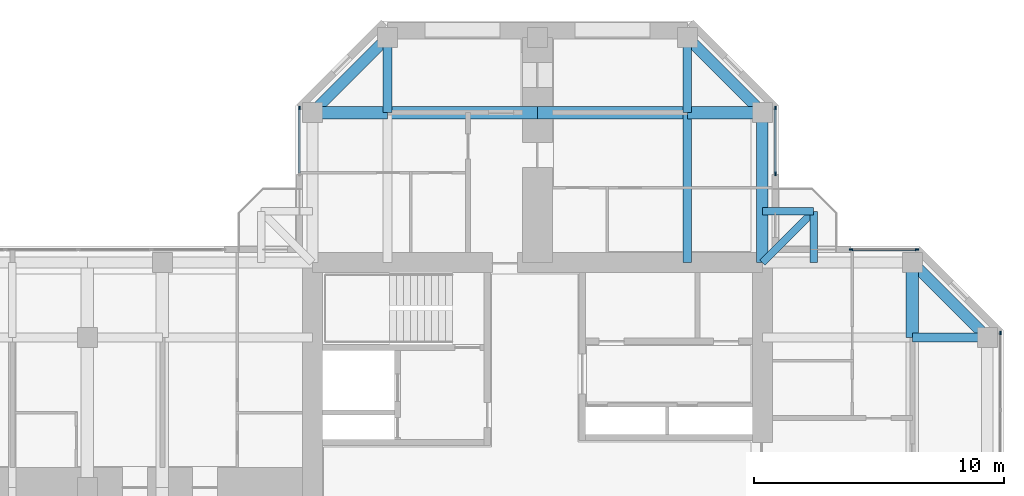
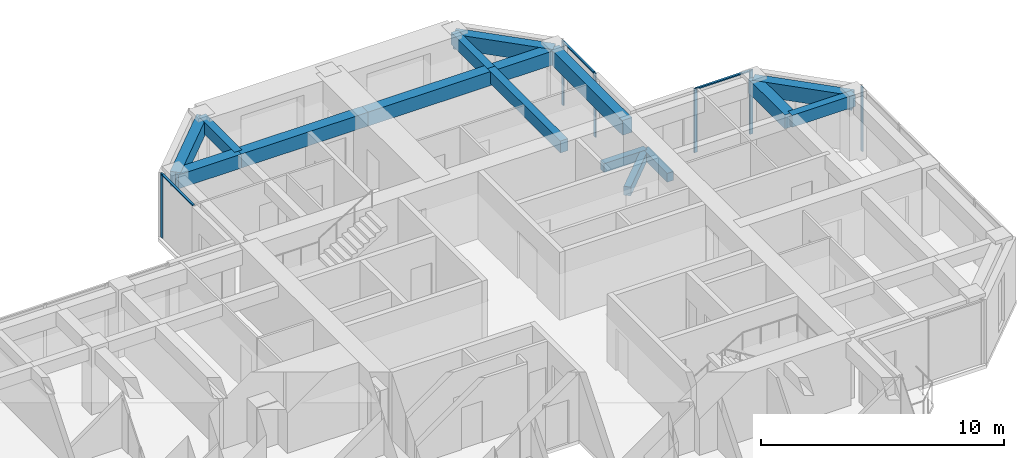
# One storey, part 6 of 13: 16 beams, 9 members, 4 elements without a shape of their own.
"""IFC4 building model written with IfcOpenShell, lengths in metres."""

from ifc_helpers import new_model, si_unit, direction, frame, origin, origin_2d, place, context, subcontext, project, spatial, rectangle, extrude, material, material_profile, profile_set, type_object, element, aggregate, save


model = new_model("IFC4")

# Units and contexts
model_context = context("Model", 3, precision=1e-05, world=origin(), true_north=direction((0.0, 1.0)))
body_context = subcontext(model_context, "Body", "Model", "MODEL_VIEW")
ifc_project = project(units=[si_unit("LENGTHUNIT", "METRE"), si_unit("AREAUNIT", "SQUARE_METRE"), si_unit("VOLUMEUNIT", "CUBIC_METRE"), si_unit("PLANEANGLEUNIT", "RADIAN"), si_unit("MASSUNIT", "GRAM", prefix="KILO")], contexts=[model_context])

# Site, building, storey
site_placement = place(None, origin())
site = spatial("IfcSite", under=ifc_project, at=site_placement, CompositionType="ELEMENT")
building_placement = place(site_placement, origin())
building = spatial("IfcBuilding", under=site, at=building_placement, Name="Torre Cruceta", CompositionType="ELEMENT")
storey_placement = place(building_placement, frame((0.0, 0.0, 239.10009765625)))
storey = spatial("IfcBuildingStorey", under=building, at=storey_placement, Name="L61", CompositionType="ELEMENT", Elevation=239.10009765625)

# Beams
ifc_material_1 = material(Name="Concrete G60 (fck 60 MPa)", Category="concrete")
ifc_material_profile_1 = material_profile(ifc_material_1, rectangle(XDim=0.300048828125, YDim=0.449951171875, at=origin_2d()), Name="RC 300X450")
ifc_profile_set_1 = profile_set([ifc_material_profile_1], Name="Concrete G60 (fck 60 MPa)")
beam_type_1 = type_object("IfcBeamType", Name="BALCONY CANTILEVER BEAM RC 300X450", PredefinedType="BEAM", material=ifc_profile_set_1)
beam_1_placement = place(storey_placement, frame((9.0, 9.0, -0.405029296875), z_axis=(0.707106781187, 0.707106781187, 0.0), x_axis=(-0.707106781187, 0.707106781187, 0.0)))
element("IfcBeam", 1, at=beam_1_placement, inside=storey, type_object=beam_type_1, Name="BB1 balcony beam L61 E", PredefinedType="BEAM", context=body_context, shape_type="SweptSolid", body=[
    extrude(rectangle(XDim=0.300048828125, YDim=0.449951171875, at=origin_2d()), origin(), (0.0, 0.0, 1.0), 2.89990234375),
])
for number, where, z_axis, x_axis, name in (
    (2, (11.050537109375, 9.0, -0.405029296875), (0.0, 1.0, 0.0), (-1.0, 0.0, 0.0), "BB1 balcony edge beam L61 E-X"),
    (3, (9.0, 11.050537109375, -0.405029296875), (1.0, 0.0, 0.0), (0.0, 1.0, 0.0), "BB1 balcony edge beam L61 E-Y"),
):
    element("IfcBeam", number, at=place(storey_placement, frame(where, z_axis=z_axis, x_axis=x_axis)), inside=storey, type_object=beam_type_1, Name=name, PredefinedType="BEAM", context=body_context, shape_type="SweptSolid", body=[
        extrude(rectangle(XDim=0.300048828125, YDim=0.449951171875, at=origin_2d()), origin(), (0.0, 0.0, 1.0), 2.050537109375),
    ])
ifc_material_2 = material(Name="Concrete G60 (fck 60 MPa)", Category="concrete")
ifc_material_profile_2 = material_profile(ifc_material_2, rectangle(XDim=0.35009765625, YDim=0.60009765625, at=origin_2d()), Name="RC 350X600")
ifc_profile_set_2 = profile_set([ifc_material_profile_2], Name="Concrete G60 (fck 60 MPa)")
beam_type_2 = type_object("IfcBeamType", Name="COLUMN LINE BEAM RC 350X600", PredefinedType="BEAM", material=ifc_profile_set_2)
beam_2_placement = place(storey_placement, frame((6.0, 9.0, 2.919921875), z_axis=(0.0, 1.0, 0.0), x_axis=(-1.0, 0.0, 0.0)))
element("IfcBeam", 4, at=beam_2_placement, inside=storey, type_object=beam_type_2, Name="LB9 L61 N col- 1", PredefinedType="BEAM", context=body_context, shape_type="SweptSolid", body=[
    extrude(rectangle(XDim=0.35009765625, YDim=0.60009765625, at=origin_2d()), origin(), (0.0, 0.0, 1.0), 6.0),
])
for number, where, z_axis, x_axis, name in (
    (5, (6.0, 15.0, 2.919921875), (0.0, 1.0, 0.0), (-1.0, 0.0, 0.0), "LB9 L61 N col- 2"),
    (6, (-6.0, 15.0, 2.919921875), (0.0, 1.0, 0.0), (-1.0, 0.0, 0.0), "LB9 L61 N col+ 2"),
    (7, (15.0, 6.0, 2.919921875), (1.0, 0.0, 0.0), (0.0, 1.0, 0.0), "LB9 L61 E col+ 2"),
):
    element("IfcBeam", number, at=place(storey_placement, frame(where, z_axis=z_axis, x_axis=x_axis)), inside=storey, type_object=beam_type_2, Name=name, PredefinedType="BEAM", context=body_context, shape_type="SweptSolid", body=[
        extrude(rectangle(XDim=0.35009765625, YDim=0.60009765625, at=origin_2d()), origin(), (0.0, 0.0, 1.0), 3.0),
    ])
ifc_material_3 = material(Name="Concrete G60 (fck 60 MPa)", Category="concrete")
ifc_material_profile_3 = material_profile(ifc_material_3, rectangle(XDim=0.5, YDim=0.699951171875, at=origin_2d()), Name="RC 500X700")
ifc_profile_set_3 = profile_set([ifc_material_profile_3], Name="Concrete G60 (fck 60 MPa)")
beam_type_3 = type_object("IfcBeamType", Name="CROSS BEAM RC 500X700", PredefinedType="BEAM", material=ifc_profile_set_3)
beam_3_placement = place(storey_placement, frame((9.0, 15.0, 2.869873046875), z_axis=(-1.0, 0.0, 0.0), x_axis=(0.0, -1.0, 0.0)))
element("IfcBeam", 8, at=beam_3_placement, inside=storey, type_object=beam_type_3, Name="GB7 L61 N cross15 1", PredefinedType="BEAM", context=body_context, shape_type="SweptSolid", body=[
    extrude(rectangle(XDim=0.5, YDim=0.699951171875, at=origin_2d()), origin(), (0.0, 0.0, 1.0), 3.0),
])
for number, where, z_axis, x_axis, name in (
    (9, (6.0, 15.0, 2.869873046875), (-1.0, 0.0, 0.0), (0.0, -1.0, 0.0), "GB7 L61 N cross15 2"),
    (10, (0.0, 15.0, 2.869873046875), (-1.0, 0.0, 0.0), (0.0, -1.0, 0.0), "GB7 L61 N cross15 3"),
):
    element("IfcBeam", number, at=place(storey_placement, frame(where, z_axis=z_axis, x_axis=x_axis)), inside=storey, type_object=beam_type_3, Name=name, PredefinedType="BEAM", context=body_context, shape_type="SweptSolid", body=[
        extrude(rectangle(XDim=0.5, YDim=0.699951171875, at=origin_2d()), origin(), (0.0, 0.0, 1.0), 6.0),
    ])
for number, where, z_axis, x_axis, name in (
    (11, (-6.0, 15.0, 2.869873046875), (-1.0, 0.0, 0.0), (0.0, -1.0, 0.0), "GB7 L61 N cross15 4"),
    (12, (15.0, 6.0, 2.869873046875), (0.0, 1.0, 0.0), (-1.0, 0.0, 0.0), "GB7 L61 E cross15 4"),
):
    element("IfcBeam", number, at=place(storey_placement, frame(where, z_axis=z_axis, x_axis=x_axis)), inside=storey, type_object=beam_type_3, Name=name, PredefinedType="BEAM", context=body_context, shape_type="SweptSolid", body=[
        extrude(rectangle(XDim=0.5, YDim=0.699951171875, at=origin_2d()), origin(), (0.0, 0.0, 1.0), 3.0),
    ])

# Curtain wall, member
ifc_material_4 = material(Name="Aluminium unitised curtain wall", Category="aluminium")
curtain_wall_type = type_object("IfcCurtainWallType", Name="CURTAIN WALL CW-D CO-LIVING UPPER", PredefinedType="USERDEFINED", material=ifc_material_4)
curtain_wall_1_placement = place(storey_placement, origin())
curtain_wall_1 = element("IfcCurtainWall", 13, at=curtain_wall_1_placement, inside=storey, type_object=curtain_wall_type, Name="CW-D L61 E tip 02", ObjectType="UNITISED", PredefinedType="USERDEFINED")
ifc_material_5 = material(Name="Aluminium mullion", Category="aluminium")
ifc_material_profile_4 = material_profile(ifc_material_5, rectangle(XDim=0.06005859375, YDim=0.14990234375, at=origin_2d()), Name="AL 60X150")
ifc_profile_set_4 = profile_set([ifc_material_profile_4], Name="Aluminium mullion")
member_type_1 = type_object("IfcMemberType", Name="CW-D MULLION 60X150", PredefinedType="MULLION", material=ifc_profile_set_4)
member_1_placement = place(storey_placement, frame((18.52001953125, 6.185302734375, 0.0), z_axis=(0.0, 0.0, 1.0), x_axis=(-1.0, 0.0, 0.0)))
member_1 = element("IfcMember", 14, at=member_1_placement, type_object=member_type_1, Name="CW-D mullion 5", PredefinedType="MULLION", context=body_context, shape_type="SweptSolid", body=[
    extrude(rectangle(XDim=0.06005859375, YDim=0.14990234375, at=origin_2d()), origin(), (0.0, 0.0, 1.0), 3.219970703125),
])
aggregate(curtain_wall_1, [member_1])

# Curtain wall, members
curtain_wall_2_placement = place(storey_placement, origin())
curtain_wall_2 = element("IfcCurtainWall", 15, at=curtain_wall_2_placement, inside=storey, type_object=curtain_wall_type, Name="CW-D L61 E side 04", ObjectType="UNITISED", PredefinedType="USERDEFINED")
member_2_placement = place(storey_placement, frame((15.185302734375, 9.52001953125, 0.0), z_axis=(0.0, 0.0, 1.0), x_axis=(0.0, -1.0, 0.0)))
member_2 = element("IfcMember", 16, at=member_2_placement, type_object=member_type_1, Name="CW-D mullion 1", PredefinedType="MULLION", context=body_context, shape_type="SweptSolid", body=[
    extrude(rectangle(XDim=0.06005859375, YDim=0.14990234375, at=origin_2d()), origin(), (0.0, 0.0, 1.0), 3.219970703125),
])
member_3_placement = place(storey_placement, frame((12.550048828125, 9.52001953125, 0.0), z_axis=(0.0, 0.0, 1.0), x_axis=(0.0, -1.0, 0.0)))
member_3 = element("IfcMember", 17, at=member_3_placement, type_object=member_type_1, Name="CW-D mullion 2", PredefinedType="MULLION", context=body_context, shape_type="SweptSolid", body=[
    extrude(rectangle(XDim=0.06005859375, YDim=0.14990234375, at=origin_2d()), origin(), (0.0, 0.0, 1.0), 3.219970703125),
])

curtain_wall_3_placement = place(storey_placement, origin())
curtain_wall_3 = element("IfcCurtainWall", 18, at=curtain_wall_3_placement, inside=storey, type_object=curtain_wall_type, Name="CW-D L61 N side 05", ObjectType="UNITISED", PredefinedType="USERDEFINED")
member_4_placement = place(storey_placement, frame((9.52001953125, 12.550048828125, 0.0), z_axis=(0.0, 0.0, 1.0), x_axis=(-1.0, 0.0, 0.0)))
member_4 = element("IfcMember", 19, at=member_4_placement, type_object=member_type_1, Name="CW-D mullion 1", PredefinedType="MULLION", context=body_context, shape_type="SweptSolid", body=[
    extrude(rectangle(XDim=0.06005859375, YDim=0.14990234375, at=origin_2d()), origin(), (0.0, 0.0, 1.0), 3.219970703125),
])
member_5_placement = place(storey_placement, frame((9.52001953125, 15.185302734375, 0.0), z_axis=(0.0, 0.0, 1.0), x_axis=(-1.0, 0.0, 0.0)))
member_5 = element("IfcMember", 20, at=member_5_placement, type_object=member_type_1, Name="CW-D mullion 2", PredefinedType="MULLION", context=body_context, shape_type="SweptSolid", body=[
    extrude(rectangle(XDim=0.06005859375, YDim=0.14990234375, at=origin_2d()), origin(), (0.0, 0.0, 1.0), 3.219970703125),
])

# Curtain wall, member
curtain_wall_4_placement = place(storey_placement, origin())
curtain_wall_4 = element("IfcCurtainWall", 21, at=curtain_wall_4_placement, inside=storey, type_object=curtain_wall_type, Name="CW-D L61 N side 09", ObjectType="UNITISED", PredefinedType="USERDEFINED")
member_6_placement = place(storey_placement, frame((-9.52001953125, 15.185302734375, 0.0), z_axis=(0.0, 0.0, 1.0), x_axis=(1.0, 0.0, 0.0)))
member_6 = element("IfcMember", 22, at=member_6_placement, type_object=member_type_1, Name="CW-D mullion 1", PredefinedType="MULLION", context=body_context, shape_type="SweptSolid", body=[
    extrude(rectangle(XDim=0.06005859375, YDim=0.14990234375, at=origin_2d()), origin(), (0.0, 0.0, 1.0), 3.219970703125),
])

# Member
ifc_material_6 = material(Name="Aluminium transom", Category="aluminium")
ifc_material_profile_5 = material_profile(ifc_material_6, rectangle(XDim=0.10009765625, YDim=0.06005859375, at=origin_2d()), Name="AL 100X60")
ifc_profile_set_5 = profile_set([ifc_material_profile_5], Name="Aluminium transom")
member_type_2 = type_object("IfcMemberType", Name="CW-D TRANSOM 60X100", PredefinedType="USERDEFINED", material=ifc_profile_set_5)
member_7_placement = place(storey_placement, frame((15.1552734375, 9.52001953125, 3.18994140625), z_axis=(-1.0, 0.0, 0.0), x_axis=(0.0, -1.0, 0.0)))
member_7 = element("IfcMember", 23, at=member_7_placement, type_object=member_type_2, Name="CW-D transom 1", ObjectType="TRANSOM", PredefinedType="USERDEFINED", context=body_context, shape_type="SweptSolid", body=[
    extrude(rectangle(XDim=0.10009765625, YDim=0.06005859375, at=origin_2d()), origin(), (0.0, 0.0, 1.0), 2.5751953125),
])

aggregate(curtain_wall_2, [member_2, member_3, member_7])

member_8_placement = place(storey_placement, frame((9.52001953125, 12.580078125, 3.18994140625), z_axis=(0.0, 1.0, 0.0), x_axis=(-1.0, 0.0, 0.0)))
member_8 = element("IfcMember", 24, at=member_8_placement, type_object=member_type_2, Name="CW-D transom 1", ObjectType="TRANSOM", PredefinedType="USERDEFINED", context=body_context, shape_type="SweptSolid", body=[
    extrude(rectangle(XDim=0.10009765625, YDim=0.06005859375, at=origin_2d()), origin(), (0.0, 0.0, 1.0), 2.5751953125),
])

aggregate(curtain_wall_3, [member_4, member_5, member_8])

member_9_placement = place(storey_placement, frame((-9.52001953125, 15.1552734375, 3.18994140625), z_axis=(0.0, -1.0, 0.0), x_axis=(1.0, 0.0, 0.0)))
member_9 = element("IfcMember", 25, at=member_9_placement, type_object=member_type_2, Name="CW-D transom 1", ObjectType="TRANSOM", PredefinedType="USERDEFINED", context=body_context, shape_type="SweptSolid", body=[
    extrude(rectangle(XDim=0.10009765625, YDim=0.06005859375, at=origin_2d()), origin(), (0.0, 0.0, 1.0), 2.5751953125),
])

aggregate(curtain_wall_4, [member_6, member_9])

# Beams
ifc_material_7 = material(Name="Concrete G60 (fck 60 MPa)", Category="concrete")
ifc_material_profile_6 = material_profile(ifc_material_7, rectangle(XDim=0.449951171875, YDim=0.75, at=origin_2d()), Name="RC 450X750")
ifc_profile_set_6 = profile_set([ifc_material_profile_6], Name="Concrete G60 (fck 60 MPa)")
beam_type_4 = type_object("IfcBeamType", Name="SPANDREL BEAM RC 450X750", PredefinedType="SPANDREL", material=ifc_profile_set_6)
beam_4_placement = place(storey_placement, frame((9.0, 9.0, 2.844970703125), z_axis=(0.0, 1.0, 0.0), x_axis=(-1.0, 0.0, 0.0)))
element("IfcBeam", 26, at=beam_4_placement, inside=storey, type_object=beam_type_4, Name="SB7 L61 N side- 1", PredefinedType="SPANDREL", context=body_context, shape_type="SweptSolid", body=[
    extrude(rectangle(XDim=0.449951171875, YDim=0.75, at=origin_2d()), origin(), (0.0, 0.0, 1.0), 6.0),
])
for number, where, z_axis, x_axis, name in (
    (27, (9.0, 15.0, 2.844970703125), (-0.707106781187, 0.707106781187, 0.0), (-0.707106781187, -0.707106781187, 0.0), "SB7 L61 N side- 2"),
    (28, (-9.0, 15.0, 2.844970703125), (0.707106781187, 0.707106781187, 0.0), (-0.707106781187, 0.707106781187, 0.0), "SB7 L61 N side+ 2"),
    (29, (15.0, 9.0, 2.844970703125), (0.707106781187, -0.707106781187, 0.0), (0.707106781187, 0.707106781187, 0.0), "SB7 L61 E side+ 2"),
):
    element("IfcBeam", number, at=place(storey_placement, frame(where, z_axis=z_axis, x_axis=x_axis)), inside=storey, type_object=beam_type_4, Name=name, PredefinedType="SPANDREL", context=body_context, shape_type="SweptSolid", body=[
        extrude(rectangle(XDim=0.449951171875, YDim=0.75, at=origin_2d()), origin(), (0.0, 0.0, 1.0), 4.24267578125),
    ])

save(model, "model.ifc")
